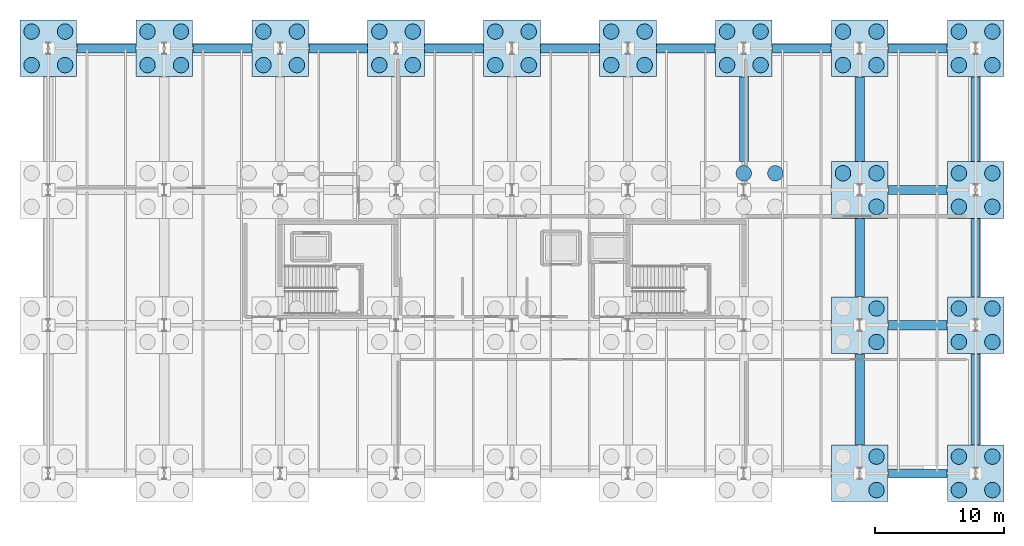
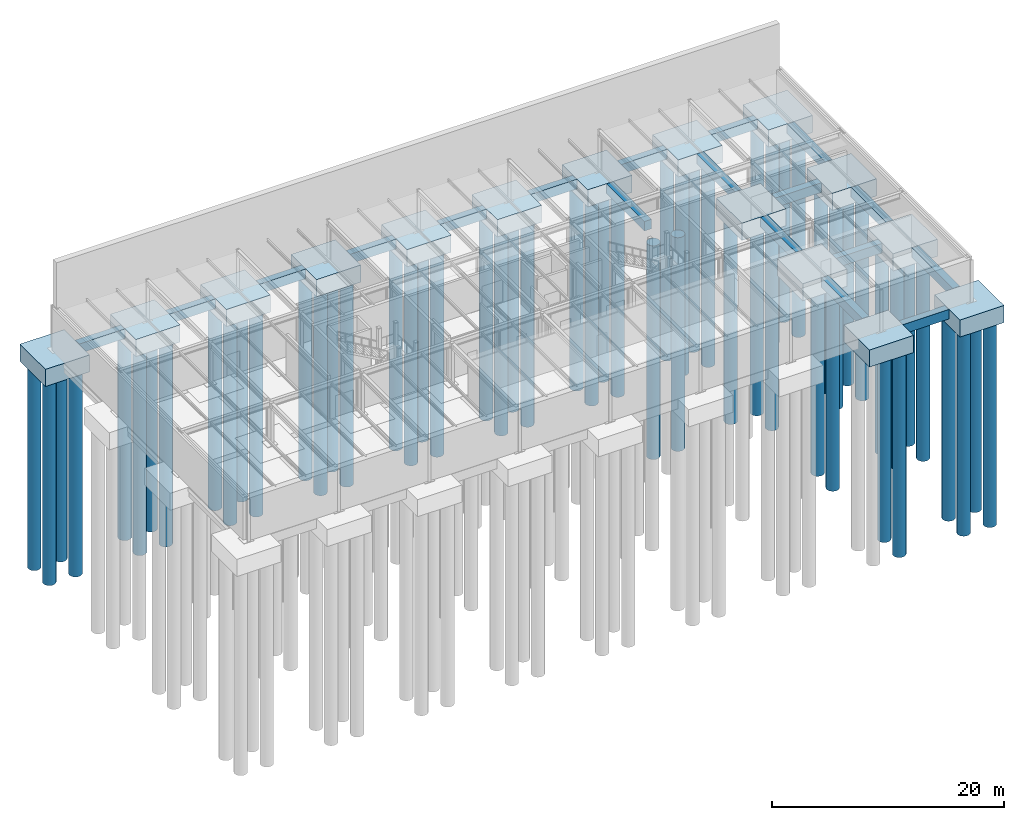
# One storey, part 2 of 19: 57 piles, 33 footings.
"""IFC4 building model written with IfcOpenShell, lengths in metres."""

from ifc_helpers import new_model, si_unit, direction, frame, origin, origin_2d, place, context, subcontext, project, spatial, rectangle, circle, extrude, material, material_profile, profile_set, type_object, element, save


model = new_model("IFC4")

# Units and contexts
model_context = context("Model", 3, precision=1e-05, world=origin(), true_north=direction((0.0, 1.0)))
body_context = subcontext(model_context, "Body", "Model", "MODEL_VIEW")
ifc_project = project(units=[si_unit("LENGTHUNIT", "METRE"), si_unit("AREAUNIT", "SQUARE_METRE"), si_unit("VOLUMEUNIT", "CUBIC_METRE"), si_unit("PLANEANGLEUNIT", "RADIAN"), si_unit("MASSUNIT", "GRAM", prefix="KILO")], contexts=[model_context])

# Site, building, storey
site_placement = place(None, origin())
site = spatial("IfcSite", under=ifc_project, at=site_placement, CompositionType="ELEMENT")
building_placement = place(site_placement, origin())
building = spatial("IfcBuilding", under=site, at=building_placement, Name="Marlcrest Central Station", CompositionType="ELEMENT")
storey_placement = place(building_placement, frame((0.0, 0.0, -4.800048828125)))
storey = spatial("IfcBuildingStorey", under=building, at=storey_placement, Name="B1", CompositionType="ELEMENT", Elevation=-4.800048828125)

# Piles
ifc_material_1 = material(Name="Concrete C35/45", Category="concrete")
ifc_material_profile = material_profile(ifc_material_1, circle(Radius=0.60009765625, at=origin_2d()), Name="PILE D1200")
ifc_profile_set = profile_set([ifc_material_profile], Name="Concrete C35/45")
pile_type = type_object("IfcPileType", Name="BP-04", PredefinedType="BORED", material=ifc_profile_set)
for number, where, z_axis, x_axis, name in (
    (1, (-1.300048828125, 130.699951171875, -1.699951171875), (0.0, 0.0, -1.0), (1.0, 0.0, 0.0), "pile-BP-04-0013"),
    (2, (1.300048828125, 130.699951171875, -1.699951171875), (0.0, 0.0, -1.0), (1.0, 0.0, 0.0), "pile-BP-04-0014"),
    (3, (-1.300048828125, 133.300048828125, -1.699951171875), (0.0, 0.0, -1.0), (1.0, 0.0, 0.0), "pile-BP-04-0015"),
    (4, (1.300048828125, 133.300048828125, -1.699951171875), (0.0, 0.0, -1.0), (1.0, 0.0, 0.0), "pile-BP-04-0016"),
    (5, (7.699951171875, 130.699951171875, -1.699951171875), (0.0, 0.0, -1.0), (1.0, 0.0, 0.0), "pile-BP-04-0029"),
    (6, (10.300048828125, 130.699951171875, -1.699951171875), (0.0, 0.0, -1.0), (1.0, 0.0, 0.0), "pile-BP-04-0030"),
    (7, (7.699951171875, 133.300048828125, -1.699951171875), (0.0, 0.0, -1.0), (1.0, 0.0, 0.0), "pile-BP-04-0031"),
    (8, (10.300048828125, 133.300048828125, -1.699951171875), (0.0, 0.0, -1.0), (1.0, 0.0, 0.0), "pile-BP-04-0032"),
    (9, (16.699951171875, 130.699951171875, -1.699951171875), (0.0, 0.0, -1.0), (1.0, 0.0, 0.0), "pile-BP-04-0047"),
    (10, (19.300048828125, 130.699951171875, -1.699951171875), (0.0, 0.0, -1.0), (1.0, 0.0, 0.0), "pile-BP-04-0048"),
    (11, (16.699951171875, 133.300048828125, -1.699951171875), (0.0, 0.0, -1.0), (1.0, 0.0, 0.0), "pile-BP-04-0049"),
    (12, (19.300048828125, 133.300048828125, -1.699951171875), (0.0, 0.0, -1.0), (1.0, 0.0, 0.0), "pile-BP-04-0050"),
    (13, (25.699951171875, 130.699951171875, -1.699951171875), (0.0, 0.0, -1.0), (1.0, 0.0, 0.0), "pile-BP-04-0065"),
    (14, (28.300048828125, 130.699951171875, -1.699951171875), (0.0, 0.0, -1.0), (1.0, 0.0, 0.0), "pile-BP-04-0066"),
    (15, (25.699951171875, 133.300048828125, -1.699951171875), (0.0, 0.0, -1.0), (1.0, 0.0, 0.0), "pile-BP-04-0067"),
    (16, (28.300048828125, 133.300048828125, -1.699951171875), (0.0, 0.0, -1.0), (1.0, 0.0, 0.0), "pile-BP-04-0068"),
    (17, (34.699951171875, 130.699951171875, -1.699951171875), (0.0, 0.0, -1.0), (1.0, 0.0, 0.0), "pile-BP-04-0081"),
    (18, (37.300048828125, 130.699951171875, -1.699951171875), (0.0, 0.0, -1.0), (1.0, 0.0, 0.0), "pile-BP-04-0082"),
    (19, (34.699951171875, 133.300048828125, -1.699951171875), (0.0, 0.0, -1.0), (1.0, 0.0, 0.0), "pile-BP-04-0083"),
    (20, (37.300048828125, 133.300048828125, -1.699951171875), (0.0, 0.0, -1.0), (1.0, 0.0, 0.0), "pile-BP-04-0084"),
    (21, (43.699951171875, 130.699951171875, -1.699951171875), (0.0, 0.0, -1.0), (1.0, 0.0, 0.0), "pile-BP-04-0099"),
    (22, (46.300048828125, 130.699951171875, -1.699951171875), (0.0, 0.0, -1.0), (1.0, 0.0, 0.0), "pile-BP-04-0100"),
    (23, (43.699951171875, 133.300048828125, -1.699951171875), (0.0, 0.0, -1.0), (1.0, 0.0, 0.0), "pile-BP-04-0101"),
    (24, (46.300048828125, 133.300048828125, -1.699951171875), (0.0, 0.0, -1.0), (1.0, 0.0, 0.0), "pile-BP-04-0102"),
):
    element("IfcPile", number, at=place(storey_placement, frame(where, z_axis=z_axis, x_axis=x_axis)), inside=storey, type_object=pile_type, Name=name, PredefinedType="BORED", context=body_context, shape_type="SweptSolid", body=[
        extrude(circle(Radius=0.60009765625, at=origin_2d()), origin(), (0.0, 0.0, 1.0), 21.5),
    ])
for number, where, z_axis, x_axis, name in (
    (25, (54.0, 122.300048828125, -1.699951171875), (0.0, 0.0, -1.0), (1.0, 0.0, 0.0), "pile-BP-04-0115"),
    (26, (56.449951171875, 122.300048828125, -1.699951171875), (0.0, 0.0, -1.0), (1.0, 0.0, 0.0), "pile-BP-04-0116"),
):
    element("IfcPile", number, at=place(storey_placement, frame(where, z_axis=z_axis, x_axis=x_axis)), inside=storey, type_object=pile_type, Name=name, PredefinedType="BORED", context=body_context, shape_type="SweptSolid", body=[
        extrude(circle(Radius=0.60009765625, at=origin_2d()), origin(), (0.0, 0.0, 1.0), 22.5),
    ])
for number, where, z_axis, x_axis, name in (
    (27, (52.699951171875, 130.699951171875, -1.699951171875), (0.0, 0.0, -1.0), (1.0, 0.0, 0.0), "pile-BP-04-0117"),
    (28, (55.300048828125, 130.699951171875, -1.699951171875), (0.0, 0.0, -1.0), (1.0, 0.0, 0.0), "pile-BP-04-0118"),
    (29, (52.699951171875, 133.300048828125, -1.699951171875), (0.0, 0.0, -1.0), (1.0, 0.0, 0.0), "pile-BP-04-0119"),
    (30, (55.300048828125, 133.300048828125, -1.699951171875), (0.0, 0.0, -1.0), (1.0, 0.0, 0.0), "pile-BP-04-0120"),
    (31, (64.300048828125, 97.699951171875, -1.699951171875), (0.0, 0.0, -1.0), (1.0, 0.0, 0.0), "pile-BP-04-0122"),
    (32, (64.300048828125, 100.300048828125, -1.699951171875), (0.0, 0.0, -1.0), (1.0, 0.0, 0.0), "pile-BP-04-0124"),
    (33, (64.300048828125, 109.199951171875, -1.699951171875), (0.0, 0.0, -1.0), (1.0, 0.0, 0.0), "pile-BP-04-0126"),
    (34, (64.300048828125, 111.800048828125, -1.699951171875), (0.0, 0.0, -1.0), (1.0, 0.0, 0.0), "pile-BP-04-0128"),
    (35, (64.300048828125, 119.699951171875, -1.699951171875), (0.0, 0.0, -1.0), (1.0, 0.0, 0.0), "pile-BP-04-0130"),
    (36, (61.699951171875, 122.300048828125, -1.699951171875), (0.0, 0.0, -1.0), (1.0, 0.0, 0.0), "pile-BP-04-0131"),
    (37, (64.300048828125, 122.300048828125, -1.699951171875), (0.0, 0.0, -1.0), (1.0, 0.0, 0.0), "pile-BP-04-0132"),
    (38, (61.699951171875, 130.699951171875, -1.699951171875), (0.0, 0.0, -1.0), (1.0, 0.0, 0.0), "pile-BP-04-0133"),
    (39, (64.300048828125, 130.699951171875, -1.699951171875), (0.0, 0.0, -1.0), (1.0, 0.0, 0.0), "pile-BP-04-0134"),
    (40, (61.699951171875, 133.300048828125, -1.699951171875), (0.0, 0.0, -1.0), (1.0, 0.0, 0.0), "pile-BP-04-0135"),
    (41, (64.300048828125, 133.300048828125, -1.699951171875), (0.0, 0.0, -1.0), (1.0, 0.0, 0.0), "pile-BP-04-0136"),
    (42, (70.699951171875, 97.699951171875, -1.699951171875), (0.0, 0.0, -1.0), (1.0, 0.0, 0.0), "pile-BP-04-0137"),
    (43, (73.300048828125, 97.699951171875, -1.699951171875), (0.0, 0.0, -1.0), (1.0, 0.0, 0.0), "pile-BP-04-0138"),
    (44, (70.699951171875, 100.300048828125, -1.699951171875), (0.0, 0.0, -1.0), (1.0, 0.0, 0.0), "pile-BP-04-0139"),
    (45, (73.300048828125, 100.300048828125, -1.699951171875), (0.0, 0.0, -1.0), (1.0, 0.0, 0.0), "pile-BP-04-0140"),
    (46, (70.699951171875, 109.199951171875, -1.699951171875), (0.0, 0.0, -1.0), (1.0, 0.0, 0.0), "pile-BP-04-0141"),
    (47, (73.300048828125, 109.199951171875, -1.699951171875), (0.0, 0.0, -1.0), (1.0, 0.0, 0.0), "pile-BP-04-0142"),
    (48, (70.699951171875, 111.800048828125, -1.699951171875), (0.0, 0.0, -1.0), (1.0, 0.0, 0.0), "pile-BP-04-0143"),
    (49, (73.300048828125, 111.800048828125, -1.699951171875), (0.0, 0.0, -1.0), (1.0, 0.0, 0.0), "pile-BP-04-0144"),
    (50, (70.699951171875, 119.699951171875, -1.699951171875), (0.0, 0.0, -1.0), (1.0, 0.0, 0.0), "pile-BP-04-0145"),
    (51, (73.300048828125, 119.699951171875, -1.699951171875), (0.0, 0.0, -1.0), (1.0, 0.0, 0.0), "pile-BP-04-0146"),
    (52, (70.699951171875, 122.300048828125, -1.699951171875), (0.0, 0.0, -1.0), (1.0, 0.0, 0.0), "pile-BP-04-0147"),
    (53, (73.300048828125, 122.300048828125, -1.699951171875), (0.0, 0.0, -1.0), (1.0, 0.0, 0.0), "pile-BP-04-0148"),
    (54, (70.699951171875, 130.699951171875, -1.699951171875), (0.0, 0.0, -1.0), (1.0, 0.0, 0.0), "pile-BP-04-0149"),
    (55, (73.300048828125, 130.699951171875, -1.699951171875), (0.0, 0.0, -1.0), (1.0, 0.0, 0.0), "pile-BP-04-0150"),
    (56, (70.699951171875, 133.300048828125, -1.699951171875), (0.0, 0.0, -1.0), (1.0, 0.0, 0.0), "pile-BP-04-0151"),
    (57, (73.300048828125, 133.300048828125, -1.699951171875), (0.0, 0.0, -1.0), (1.0, 0.0, 0.0), "pile-BP-04-0152"),
):
    element("IfcPile", number, at=place(storey_placement, frame(where, z_axis=z_axis, x_axis=x_axis)), inside=storey, type_object=pile_type, Name=name, PredefinedType="BORED", context=body_context, shape_type="SweptSolid", body=[
        extrude(circle(Radius=0.60009765625, at=origin_2d()), origin(), (0.0, 0.0, 1.0), 21.5),
    ])

# Footings
ifc_material_2 = material(Name="Concrete C40/50", Category="concrete")
footing_type_1 = type_object("IfcFootingType", Name="GB-02", PredefinedType="FOOTING_BEAM", material=ifc_material_2)
for number, where, z_axis, x_axis, name in (
    (58, (4.5, 132.0, -1.0), (0.0, 0.0, 1.0), (1.0, 0.0, 0.0), "ftg-gb-0004"),
    (59, (13.5, 132.0, -1.0), (0.0, 0.0, 1.0), (1.0, 0.0, 0.0), "ftg-gb-0008"),
    (60, (22.5, 132.0, -1.0), (0.0, 0.0, 1.0), (1.0, 0.0, 0.0), "ftg-gb-0012"),
    (61, (31.5, 132.0, -1.0), (0.0, 0.0, 1.0), (1.0, 0.0, 0.0), "ftg-gb-0016"),
    (62, (40.5, 132.0, -1.0), (0.0, 0.0, 1.0), (1.0, 0.0, 0.0), "ftg-gb-0020"),
    (63, (49.5, 132.0, -1.0), (0.0, 0.0, 1.0), (1.0, 0.0, 0.0), "ftg-gb-0024"),
    (64, (58.5, 132.0, -1.0), (0.0, 0.0, 1.0), (1.0, 0.0, 0.0), "ftg-gb-0028"),
    (65, (67.5, 99.0, -1.0), (0.0, 0.0, 1.0), (1.0, 0.0, 0.0), "ftg-gb-0029"),
    (66, (67.5, 110.5, -1.0), (0.0, 0.0, 1.0), (1.0, 0.0, 0.0), "ftg-gb-0030"),
    (67, (67.5, 121.0, -1.0), (0.0, 0.0, 1.0), (1.0, 0.0, 0.0), "ftg-gb-0031"),
    (68, (67.5, 132.0, -1.0), (0.0, 0.0, 1.0), (1.0, 0.0, 0.0), "ftg-gb-0032"),
):
    element("IfcFooting", number, at=place(storey_placement, frame(where, z_axis=z_axis, x_axis=x_axis)), inside=storey, type_object=footing_type_1, Name=name, PredefinedType="FOOTING_BEAM", context=body_context, shape_type="SweptSolid", body=[
        extrude(rectangle(XDim=4.56005859375, YDim=0.699951171875, at=origin_2d()), origin(), (0.0, 0.0, 1.0), 1.0),
    ])
footing_1_placement = place(storey_placement, frame((54.0, 126.5, -1.0), z_axis=(0.0, 0.0, 1.0), x_axis=(1.0, 0.0, 0.0)))
element("IfcFooting", 69, at=footing_1_placement, inside=storey, type_object=footing_type_1, Name="ftg-gb-0053", PredefinedType="FOOTING_BEAM", context=body_context, shape_type="SweptSolid", body=[
    extrude(rectangle(XDim=0.699951171875, YDim=6.56005859375, at=origin_2d()), origin(), (0.0, 0.0, 1.0), 1.0),
])
footing_2_placement = place(storey_placement, frame((63.0, 104.75, -1.0), z_axis=(0.0, 0.0, 1.0), x_axis=(1.0, 0.0, 0.0)))
element("IfcFooting", 70, at=footing_2_placement, inside=storey, type_object=footing_type_1, Name="ftg-gb-0054", PredefinedType="FOOTING_BEAM", context=body_context, shape_type="SweptSolid", body=[
    extrude(rectangle(XDim=0.699951171875, YDim=7.06005859375, at=origin_2d()), origin(), (0.0, 0.0, 1.0), 1.0),
])
footing_3_placement = place(storey_placement, frame((63.0, 115.75, -1.0), z_axis=(0.0, 0.0, 1.0), x_axis=(1.0, 0.0, 0.0)))
element("IfcFooting", 71, at=footing_3_placement, inside=storey, type_object=footing_type_1, Name="ftg-gb-0055", PredefinedType="FOOTING_BEAM", context=body_context, shape_type="SweptSolid", body=[
    extrude(rectangle(XDim=0.699951171875, YDim=6.06005859375, at=origin_2d()), origin(), (0.0, 0.0, 1.0), 1.0),
])
footing_4_placement = place(storey_placement, frame((63.0, 126.5, -1.0), z_axis=(0.0, 0.0, 1.0), x_axis=(1.0, 0.0, 0.0)))
element("IfcFooting", 72, at=footing_4_placement, inside=storey, type_object=footing_type_1, Name="ftg-gb-0056", PredefinedType="FOOTING_BEAM", context=body_context, shape_type="SweptSolid", body=[
    extrude(rectangle(XDim=0.699951171875, YDim=6.56005859375, at=origin_2d()), origin(), (0.0, 0.0, 1.0), 1.0),
])
footing_5_placement = place(storey_placement, frame((72.0, 104.75, -1.0), z_axis=(0.0, 0.0, 1.0), x_axis=(1.0, 0.0, 0.0)))
element("IfcFooting", 73, at=footing_5_placement, inside=storey, type_object=footing_type_1, Name="ftg-gb-0057", PredefinedType="FOOTING_BEAM", context=body_context, shape_type="SweptSolid", body=[
    extrude(rectangle(XDim=0.699951171875, YDim=7.06005859375, at=origin_2d()), origin(), (0.0, 0.0, 1.0), 1.0),
])
footing_6_placement = place(storey_placement, frame((72.0, 115.75, -1.0), z_axis=(0.0, 0.0, 1.0), x_axis=(1.0, 0.0, 0.0)))
element("IfcFooting", 74, at=footing_6_placement, inside=storey, type_object=footing_type_1, Name="ftg-gb-0058", PredefinedType="FOOTING_BEAM", context=body_context, shape_type="SweptSolid", body=[
    extrude(rectangle(XDim=0.699951171875, YDim=6.06005859375, at=origin_2d()), origin(), (0.0, 0.0, 1.0), 1.0),
])
footing_7_placement = place(storey_placement, frame((72.0, 126.5, -1.0), z_axis=(0.0, 0.0, 1.0), x_axis=(1.0, 0.0, 0.0)))
element("IfcFooting", 75, at=footing_7_placement, inside=storey, type_object=footing_type_1, Name="ftg-gb-0059", PredefinedType="FOOTING_BEAM", context=body_context, shape_type="SweptSolid", body=[
    extrude(rectangle(XDim=0.699951171875, YDim=6.56005859375, at=origin_2d()), origin(), (0.0, 0.0, 1.0), 1.0),
])
footing_type_2 = type_object("IfcFootingType", Name="PC-04", PredefinedType="PILE_CAP", material=ifc_material_2)
for number, where, z_axis, x_axis, name in (
    (76, (0.0, 132.0, -1.7998046875), (0.0, 0.0, 1.0), (1.0, 0.0, 0.0), "ftg-cap-0004"),
    (77, (9.0, 132.0, -1.7998046875), (0.0, 0.0, 1.0), (1.0, 0.0, 0.0), "ftg-cap-0008"),
    (78, (18.0, 132.0, -1.7998046875), (0.0, 0.0, 1.0), (1.0, 0.0, 0.0), "ftg-cap-0012"),
    (79, (27.0, 132.0, -1.7998046875), (0.0, 0.0, 1.0), (1.0, 0.0, 0.0), "ftg-cap-0016"),
    (80, (36.0, 132.0, -1.7998046875), (0.0, 0.0, 1.0), (1.0, 0.0, 0.0), "ftg-cap-0020"),
    (81, (45.0, 132.0, -1.7998046875), (0.0, 0.0, 1.0), (1.0, 0.0, 0.0), "ftg-cap-0024"),
    (82, (54.0, 132.0, -1.7998046875), (0.0, 0.0, 1.0), (1.0, 0.0, 0.0), "ftg-cap-0028"),
    (83, (63.0, 99.0, -1.7998046875), (0.0, 0.0, 1.0), (1.0, 0.0, 0.0), "ftg-cap-0029"),
    (84, (63.0, 110.5, -1.7998046875), (0.0, 0.0, 1.0), (1.0, 0.0, 0.0), "ftg-cap-0030"),
    (85, (63.0, 121.0, -1.7998046875), (0.0, 0.0, 1.0), (1.0, 0.0, 0.0), "ftg-cap-0031"),
    (86, (63.0, 132.0, -1.7998046875), (0.0, 0.0, 1.0), (1.0, 0.0, 0.0), "ftg-cap-0032"),
    (87, (72.0, 99.0, -1.7998046875), (0.0, 0.0, 1.0), (1.0, 0.0, 0.0), "ftg-cap-0033"),
    (88, (72.0, 110.5, -1.7998046875), (0.0, 0.0, 1.0), (1.0, 0.0, 0.0), "ftg-cap-0034"),
    (89, (72.0, 121.0, -1.7998046875), (0.0, 0.0, 1.0), (1.0, 0.0, 0.0), "ftg-cap-0035"),
    (90, (72.0, 132.0, -1.7998046875), (0.0, 0.0, 1.0), (1.0, 0.0, 0.0), "ftg-cap-0036"),
):
    element("IfcFooting", number, at=place(storey_placement, frame(where, z_axis=z_axis, x_axis=x_axis)), inside=storey, type_object=footing_type_2, Name=name, PredefinedType="PILE_CAP", context=body_context, shape_type="SweptSolid", body=[
        extrude(rectangle(XDim=4.39990234375, YDim=4.39990234375, at=origin_2d()), origin(), (0.0, 0.0, 1.0), 1.800048828125),
    ])

save(model, "model.ifc")
